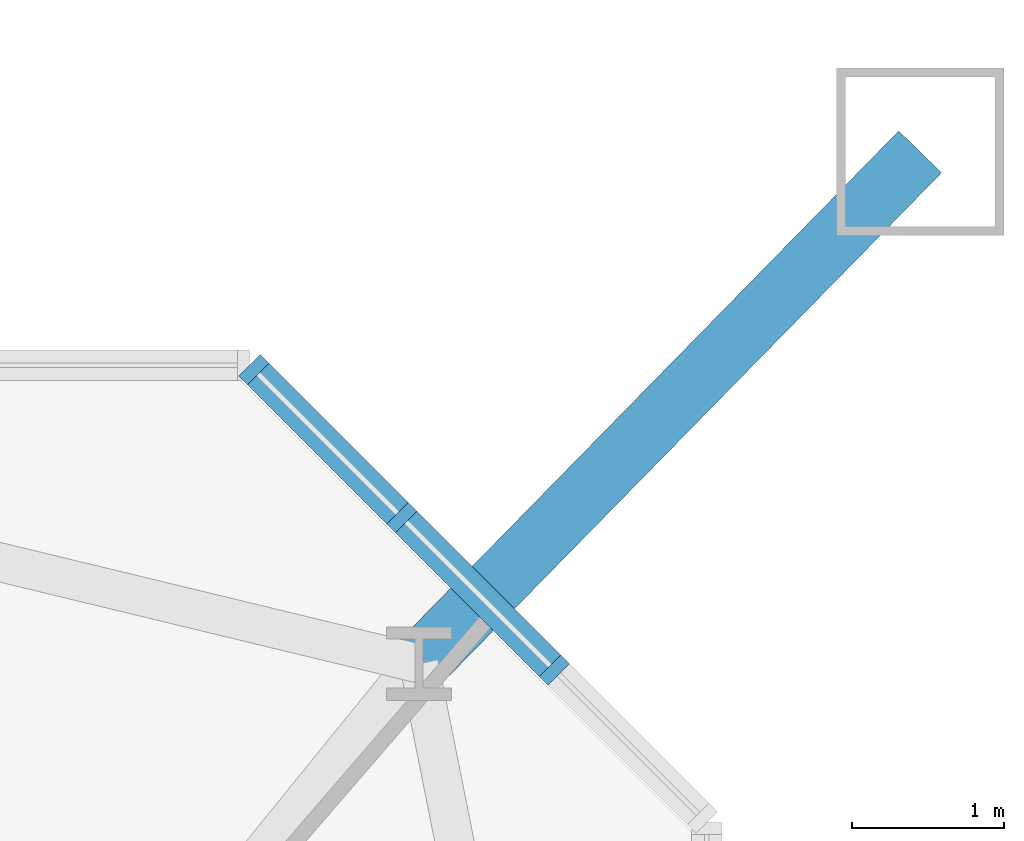
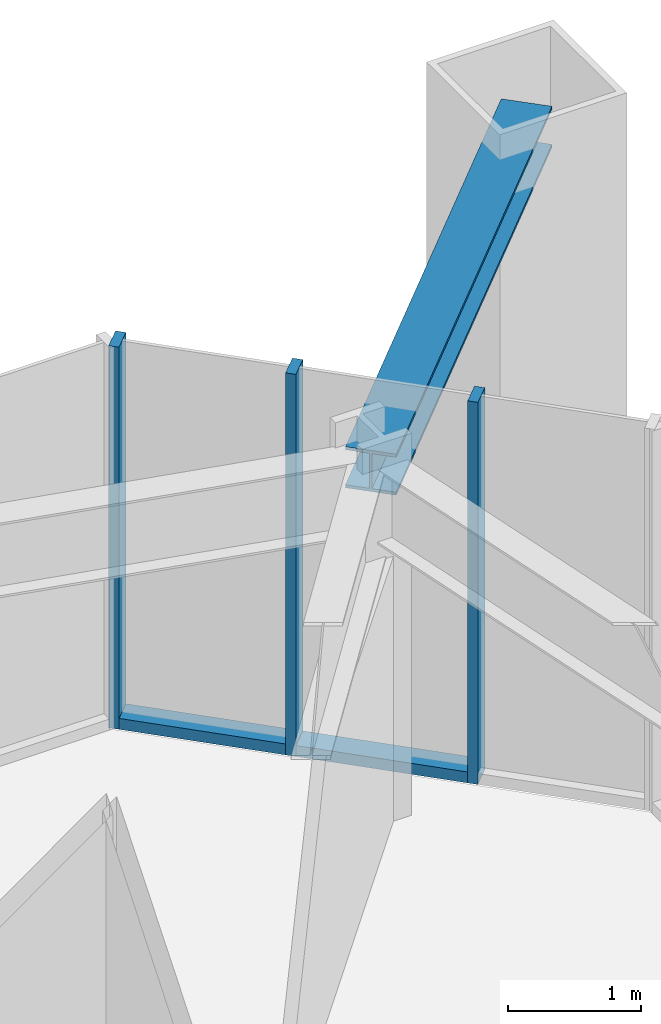
# One storey, part 12 of 27: 6 members, 1 element without a shape of its own.
"""IFC4 building model written with IfcOpenShell, lengths in metres."""

from ifc_helpers import new_model, si_unit, direction, frame, origin, origin_2d, place, context, subcontext, project, spatial, rectangle, i_section, extrude, material, material_profile, profile_set, type_object, element, aggregate, save


model = new_model("IFC4")

# Units and contexts
model_context = context("Model", 3, precision=1e-05, world=origin(), true_north=direction((0.0, 1.0)))
body_context = subcontext(model_context, "Body", "Model", "MODEL_VIEW")
ifc_project = project(units=[si_unit("LENGTHUNIT", "METRE"), si_unit("AREAUNIT", "SQUARE_METRE"), si_unit("VOLUMEUNIT", "CUBIC_METRE"), si_unit("PLANEANGLEUNIT", "RADIAN"), si_unit("MASSUNIT", "GRAM", prefix="KILO")], contexts=[model_context])

# Site, building, storey
site_placement = place(None, origin())
site = spatial("IfcSite", under=ifc_project, at=site_placement, CompositionType="ELEMENT")
building_placement = place(site_placement, origin())
building = spatial("IfcBuilding", under=site, at=building_placement, Name="Iwan Alto Co-Living Towers", CompositionType="ELEMENT")
storey_placement = place(building_placement, frame((0.0, 0.0, 91.0)))
storey = spatial("IfcBuildingStorey", under=building, at=storey_placement, Name="L24", CompositionType="ELEMENT", Elevation=91.0)

# Curtain wall, members
ifc_material_1 = material(Name="Bronze aluminium unitised frame", Category="aluminium")
curtain_wall_type = type_object("IfcCurtainWallType", Name="CURTAIN WALL CW-D", PredefinedType="NOTDEFINED", material=ifc_material_1)
curtain_wall_placement = place(storey_placement, origin())
curtain_wall = element("IfcCurtainWall", 1, at=curtain_wall_placement, inside=storey, type_object=curtain_wall_type, Name="T2 chamfer curtain wall NE L24", PredefinedType="NOTDEFINED")
ifc_material_2 = material(Name="Aluminium 6063-T6 bronze anodised", Category="aluminium")
ifc_material_profile_1 = material_profile(ifc_material_2, rectangle(XDim=0.199951171875, YDim=0.080078125, at=origin_2d()), Name="AL 80X200")
ifc_profile_set_1 = profile_set([ifc_material_profile_1], Name="Aluminium 6063-T6 bronze anodised")
member_type_1 = type_object("IfcMemberType", Name="CW-D MULLION 80X200", PredefinedType="MULLION", material=ifc_profile_set_1)
member_1_placement = place(storey_placement, frame((76.25, 14.5, 0.0), z_axis=(0.0, 0.0, 1.0), x_axis=(-0.707106781187, -0.707106781187, 0.0)))
member_1 = element("IfcMember", 2, at=member_1_placement, type_object=member_type_1, Name="CW-D mullion 2", PredefinedType="MULLION", context=body_context, shape_type="SweptSolid", body=[
    extrude(rectangle(XDim=0.199951171875, YDim=0.080078125, at=origin_2d()), origin(), (0.0, 0.0, 1.0), 3.5),
])
member_2_placement = place(storey_placement, frame((75.25, 15.5, 0.0), z_axis=(0.0, 0.0, 1.0), x_axis=(-0.707106781187, -0.707106781187, 0.0)))
member_2 = element("IfcMember", 3, at=member_2_placement, type_object=member_type_1, Name="CW-D mullion 3", PredefinedType="MULLION", context=body_context, shape_type="SweptSolid", body=[
    extrude(rectangle(XDim=0.199951171875, YDim=0.080078125, at=origin_2d()), origin(), (0.0, 0.0, 1.0), 3.5),
])
member_3_placement = place(storey_placement, frame((74.2783203125, 16.4716796875, 0.0), z_axis=(0.0, 0.0, 1.0), x_axis=(-0.707106781187, -0.707106781187, 0.0)))
member_3 = element("IfcMember", 4, at=member_3_placement, type_object=member_type_1, Name="CW-D mullion 4", PredefinedType="MULLION", context=body_context, shape_type="SweptSolid", body=[
    extrude(rectangle(XDim=0.199951171875, YDim=0.080078125, at=origin_2d()), origin(), (0.0, 0.0, 1.0), 3.5),
])
ifc_material_3 = material(Name="Aluminium 6063-T6 bronze anodised", Category="aluminium")
ifc_material_profile_2 = material_profile(ifc_material_3, rectangle(XDim=0.199951171875, YDim=0.10009765625, at=origin_2d()), Name="AL 200X100")
ifc_profile_set_2 = profile_set([ifc_material_profile_2], Name="Aluminium 6063-T6 bronze anodised")
member_type_2 = type_object("IfcMemberType", Name="CW-D TRANSOM 200X100", PredefinedType="USERDEFINED", material=ifc_profile_set_2)
member_4_placement = place(storey_placement, frame((76.2216796875, 14.5283203125, 0.050048828125), z_axis=(-0.707106781187, 0.707106781187, 0.0), x_axis=(-0.707106781187, -0.707106781187, 0.0)))
member_4 = element("IfcMember", 5, at=member_4_placement, type_object=member_type_2, Name="CW-D transom 2.1", ObjectType="TRANSOM", PredefinedType="USERDEFINED", context=body_context, shape_type="SweptSolid", body=[
    extrude(rectangle(XDim=0.199951171875, YDim=0.10009765625, at=origin_2d()), origin(), (0.0, 0.0, 1.0), 1.334228515625),
])
member_5_placement = place(storey_placement, frame((75.2216796875, 15.5283203125, 0.050048828125), z_axis=(-0.707106781187, 0.707106781187, 0.0), x_axis=(-0.707106781187, -0.707106781187, 0.0)))
member_5 = element("IfcMember", 6, at=member_5_placement, type_object=member_type_2, Name="CW-D transom 3.1", ObjectType="TRANSOM", PredefinedType="USERDEFINED", context=body_context, shape_type="SweptSolid", body=[
    extrude(rectangle(XDim=0.199951171875, YDim=0.10009765625, at=origin_2d()), origin(), (0.0, 0.0, 1.0), 1.2939453125),
])
aggregate(curtain_wall, [member_1, member_2, member_3, member_4, member_5])

# Member
ifc_material_4 = material(Name="Steel ASTM A992 Gr 50", Category="steel")
ifc_material_profile_3 = material_profile(ifc_material_4, i_section(OverallWidth=0.393798828125, OverallDepth=0.3759765625, WebThickness=0.017333984375, FlangeThickness=0.027587890625, at=origin_2d()), Name="W14X145")
ifc_profile_set_3 = profile_set([ifc_material_profile_3], Name="Steel ASTM A992 Gr 50")
member_type_3 = type_object("IfcMemberType", Name="T2 MEGA COLUMN FLOOR TIE W14X145", PredefinedType="STRUT", material=ifc_profile_set_3)
member_6_placement = place(storey_placement, frame((78.64990234375, 17.89990234375, 3.08203125), z_axis=(-0.699770096147, -0.714368121166, 0.0), x_axis=(0.714368121166, -0.699770096147, 0.0)))
element("IfcMember", 7, at=member_6_placement, inside=storey, type_object=member_type_3, Name="T2 mega column floor tie NE L25", PredefinedType="STRUT", context=body_context, shape_type="SweptSolid", body=[
    extrude(i_section(OverallWidth=0.393798828125, OverallDepth=0.3759765625, WebThickness=0.017333984375, FlangeThickness=0.027587890625, at=origin_2d()), origin(), (0.0, 0.0, 1.0), 4.699462890625),
])

save(model, "model.ifc")
